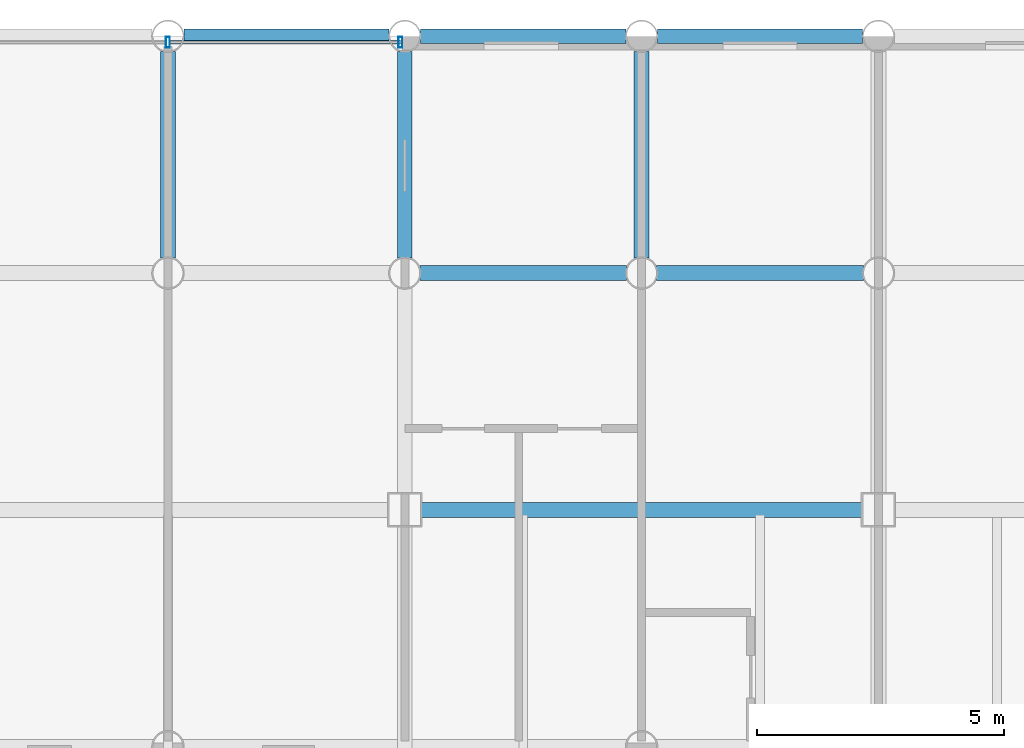
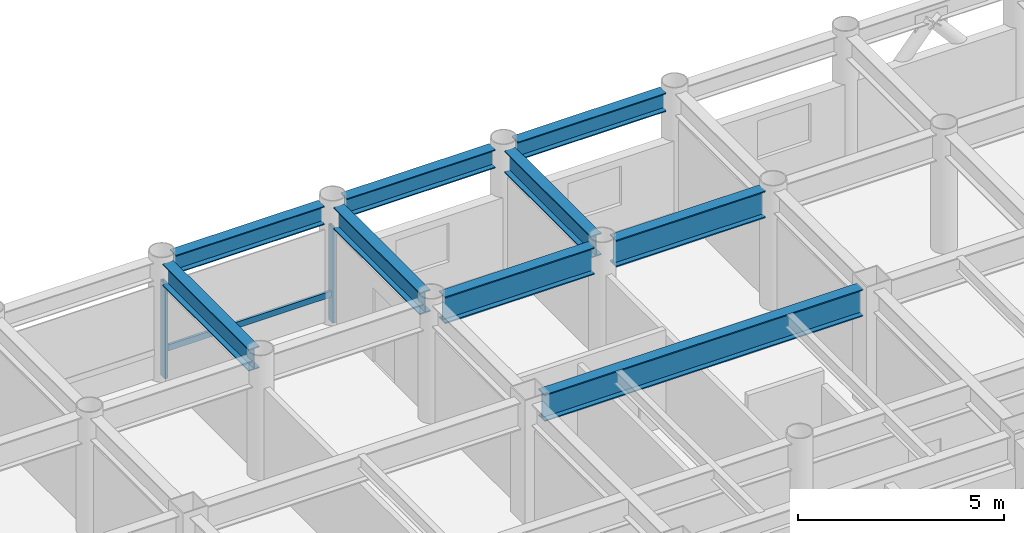
# One storey, part 13 of 20: 9 beams, 3 members, 1 element without a shape of its own.
"""IFC4 building model written with IfcOpenShell, lengths in metres."""

from ifc_helpers import new_model, si_unit, direction, frame, origin, origin_2d, place, context, subcontext, project, spatial, hollow_rectangle, i_section, extrude, material, layer, layer_set, material_profile, profile_set, type_object, element, aggregate, save


model = new_model("IFC4")

# Units and contexts
model_context = context("Model", 3, precision=1e-05, world=origin(), true_north=direction((0.0, 1.0)))
body_context = subcontext(model_context, "Body", "Model", "MODEL_VIEW")
ifc_project = project(units=[si_unit("LENGTHUNIT", "METRE"), si_unit("AREAUNIT", "SQUARE_METRE"), si_unit("VOLUMEUNIT", "CUBIC_METRE"), si_unit("PLANEANGLEUNIT", "RADIAN"), si_unit("MASSUNIT", "GRAM", prefix="KILO")], contexts=[model_context])

# Site, building, storey
site_placement = place(None, origin())
site = spatial("IfcSite", under=ifc_project, at=site_placement, CompositionType="ELEMENT")
building_placement = place(site_placement, origin())
building = spatial("IfcBuilding", under=site, at=building_placement, Name="Kallvorn Hotel Tower", CompositionType="ELEMENT")
storey_placement = place(building_placement, frame((0.0, 0.0, 143.300048828125)))
storey = spatial("IfcBuildingStorey", under=building, at=storey_placement, Name="L35", CompositionType="ELEMENT", Elevation=143.300048828125)

# Beams
ifc_material_1 = material(Name="Structural steel S355JR", Category="steel")
ifc_material_profile_1 = material_profile(ifc_material_1, i_section(OverallWidth=0.300048828125, OverallDepth=0.550048828125, WebThickness=0.014892578125, FlangeThickness=0.029052734375, at=origin_2d()), Name="HE 550 B")
ifc_profile_set_1 = profile_set([ifc_material_profile_1], Name="Structural steel S355JR")
beam_type_1 = type_object("IfcBeamType", Name="BM_HE550B", PredefinedType="SPANDREL", material=ifc_profile_set_1)
for number, where, z_axis, x_axis, name in (
    (1, (0.320068359375, 24.0, 3.244873046875), (1.0, 0.0, 0.0), (0.0, 1.0, 0.0), "L36 Perimeter Spandrel 169"),
    (2, (5.1201171875, 24.0, 3.244873046875), (1.0, 0.0, 0.0), (0.0, 1.0, 0.0), "L36 Perimeter Spandrel 170"),
):
    element("IfcBeam", number, at=place(storey_placement, frame(where, z_axis=z_axis, x_axis=x_axis)), inside=storey, type_object=beam_type_1, Name=name, PredefinedType="SPANDREL", context=body_context, shape_type="SweptSolid", body=[
        extrude(i_section(OverallWidth=0.300048828125, OverallDepth=0.550048828125, WebThickness=0.014892578125, FlangeThickness=0.029052734375, at=origin_2d()), origin(), (0.0, 0.0, 1.0), 4.159912109375),
    ])
beam_1_placement = place(storey_placement, frame((9.919921875, 24.0, 3.244873046875), z_axis=(1.0, 0.0, 0.0), x_axis=(0.0, 1.0, 0.0)))
element("IfcBeam", 3, at=beam_1_placement, inside=storey, type_object=beam_type_1, Name="L36 Perimeter Spandrel 171", PredefinedType="SPANDREL", context=body_context, shape_type="SweptSolid", body=[
    extrude(i_section(OverallWidth=0.300048828125, OverallDepth=0.550048828125, WebThickness=0.014892578125, FlangeThickness=0.029052734375, at=origin_2d()), origin(), (0.0, 0.0, 1.0), 4.16015625),
])
ifc_material_2 = material(Name="Structural steel S355JR", Category="steel")
ifc_material_profile_2 = material_profile(ifc_material_2, i_section(OverallWidth=0.300048828125, OverallDepth=0.64990234375, WebThickness=0.01611328125, FlangeThickness=0.031005859375, at=origin_2d()), Name="HE 650 B")
ifc_profile_set_2 = profile_set([ifc_material_profile_2], Name="Structural steel S355JR")
beam_type_2 = type_object("IfcBeamType", Name="BM_HE650B", PredefinedType="BEAM", material=ifc_profile_set_2)
for number, where, z_axis, x_axis, name in (
    (4, (0.0, 19.5048828125, 3.195068359375), (0.0, 1.0, 0.0), (-1.0, 0.0, 0.0), "L36 Primary Y-Girder 113"),
    (5, (4.800048828125, 19.5048828125, 3.195068359375), (0.0, 1.0, 0.0), (-1.0, 0.0, 0.0), "L36 Primary Y-Girder 118"),
    (6, (9.60009765625, 19.5048828125, 3.195068359375), (0.0, 1.0, 0.0), (-1.0, 0.0, 0.0), "L36 Primary Y-Girder 121"),
):
    element("IfcBeam", number, at=place(storey_placement, frame(where, z_axis=z_axis, x_axis=x_axis)), inside=storey, type_object=beam_type_2, Name=name, PredefinedType="BEAM", context=body_context, shape_type="SweptSolid", body=[
        extrude(i_section(OverallWidth=0.300048828125, OverallDepth=0.64990234375, WebThickness=0.01611328125, FlangeThickness=0.031005859375, at=origin_2d()), origin(), (0.0, 0.0, 1.0), 4.190185546875),
    ])
ifc_material_3 = material(Name="Structural steel S355JR", Category="steel")
ifc_material_profile_3 = material_profile(ifc_material_3, i_section(OverallWidth=0.300048828125, OverallDepth=0.800048828125, WebThickness=0.017578125, FlangeThickness=0.032958984375, at=origin_2d()), Name="HE 800 B")
ifc_profile_set_3 = profile_set([ifc_material_profile_3], Name="Structural steel S355JR")
beam_type_3 = type_object("IfcBeamType", Name="BM_HE800B", PredefinedType="BEAM", material=ifc_profile_set_3)
beam_2_placement = place(storey_placement, frame((5.125, 14.39990234375, 3.119873046875), z_axis=(1.0, 0.0, 0.0), x_axis=(0.0, 1.0, 0.0)))
element("IfcBeam", 7, at=beam_2_placement, inside=storey, type_object=beam_type_3, Name="L36 Primary X-Girder 56", PredefinedType="BEAM", context=body_context, shape_type="SweptSolid", body=[
    extrude(i_section(OverallWidth=0.300048828125, OverallDepth=0.800048828125, WebThickness=0.017578125, FlangeThickness=0.032958984375, at=origin_2d()), origin(), (0.0, 0.0, 1.0), 8.949951171875),
])
for number, where, z_axis, x_axis, name in (
    (8, (5.10498046875, 19.199951171875, 3.119873046875), (1.0, 0.0, 0.0), (0.0, 1.0, 0.0), "L36 Primary X-Girder 68"),
    (9, (9.905029296875, 19.199951171875, 3.119873046875), (1.0, 0.0, 0.0), (0.0, 1.0, 0.0), "L36 Primary X-Girder 69"),
):
    element("IfcBeam", number, at=place(storey_placement, frame(where, z_axis=z_axis, x_axis=x_axis)), inside=storey, type_object=beam_type_3, Name=name, PredefinedType="BEAM", context=body_context, shape_type="SweptSolid", body=[
        extrude(i_section(OverallWidth=0.300048828125, OverallDepth=0.800048828125, WebThickness=0.017578125, FlangeThickness=0.032958984375, at=origin_2d()), origin(), (0.0, 0.0, 1.0), 4.18994140625),
    ])

# Curtain wall, members
ifc_material_4 = material(Name="Thermally broken black-anodised aluminium AA 6063-T6", Category="aluminium")
ifc_layer = layer(ifc_material_4, 0.2099609375)
ifc_layer_set = layer_set([ifc_layer], Name="CW_SYS_4_HOTEL_MID")
curtain_wall_type = type_object("IfcCurtainWallType", Name="CW_SYS_4_HOTEL_MID", PredefinedType="USERDEFINED", material=ifc_layer_set)
curtain_wall_placement = place(storey_placement, origin())
curtain_wall = element("IfcCurtainWall", 10, at=curtain_wall_placement, inside=storey, type_object=curtain_wall_type, Name="L35 Dark-Glass Curtain Wall CW-L35-NC", ObjectType="UNITISED CURTAIN WALL", PredefinedType="USERDEFINED")
ifc_material_5 = material(Name="Thermally broken black-anodised aluminium AA 6063-T6", Category="aluminium")
ifc_material_profile_4 = material_profile(ifc_material_5, hollow_rectangle(XDim=0.080078125, YDim=0.219970703125, WallThickness=0.0048828125, at=origin_2d()), Name="MUL 220x80")
ifc_profile_set_4 = profile_set([ifc_material_profile_4], Name="Thermally broken black-anodised aluminium AA 6063-T6")
member_type_1 = type_object("IfcMemberType", Name="CW_MULLION_220x80", PredefinedType="MULLION", material=ifc_profile_set_4)
member_1_placement = place(storey_placement, frame((0.0, 23.8798828125, 0.02001953125), z_axis=(0.0, 0.0, 1.0), x_axis=(1.0, 0.0, 0.0)))
member_1 = element("IfcMember", 11, at=member_1_placement, type_object=member_type_1, Name="CW-L35-NC Mullion 01", PredefinedType="MULLION", context=body_context, shape_type="SweptSolid", body=[
    extrude(hollow_rectangle(XDim=0.080078125, YDim=0.219970703125, WallThickness=0.0048828125, at=origin_2d()), origin(), (0.0, 0.0, 1.0), 2.829833984375),
])
member_2_placement = place(storey_placement, frame((4.7099609375, 23.8798828125, 0.02001953125), z_axis=(0.0, 0.0, 1.0), x_axis=(1.0, 0.0, 0.0)))
member_2 = element("IfcMember", 12, at=member_2_placement, type_object=member_type_1, Name="CW-L35-NC Mullion 02", PredefinedType="MULLION", context=body_context, shape_type="SweptSolid", body=[
    extrude(hollow_rectangle(XDim=0.080078125, YDim=0.219970703125, WallThickness=0.0048828125, at=origin_2d()), origin(), (0.0, 0.0, 1.0), 2.829833984375),
])
ifc_material_6 = material(Name="Thermally broken black-anodised aluminium AA 6063-T6", Category="aluminium")
ifc_material_profile_5 = material_profile(ifc_material_6, hollow_rectangle(XDim=0.070068359375, YDim=0.179931640625, WallThickness=0.00390625, at=origin_2d()), Name="TRN 180x70")
ifc_profile_set_5 = profile_set([ifc_material_profile_5], Name="Thermally broken black-anodised aluminium AA 6063-T6")
member_type_2 = type_object("IfcMemberType", Name="CW_TRANSOM_180x70", PredefinedType="USERDEFINED", material=ifc_profile_set_5)
member_3_placement = place(storey_placement, frame((0.0400390625, 23.8798828125, 0.849853515625), z_axis=(1.0, 0.0, 0.0), x_axis=(0.0, 1.0, 0.0)))
member_3 = element("IfcMember", 13, at=member_3_placement, type_object=member_type_2, Name="CW-L35-NC Transom 01M", ObjectType="TRANSOM", PredefinedType="USERDEFINED", context=body_context, shape_type="SweptSolid", body=[
    extrude(hollow_rectangle(XDim=0.070068359375, YDim=0.179931640625, WallThickness=0.00390625, at=origin_2d()), origin(), (0.0, 0.0, 1.0), 4.669921875),
])
aggregate(curtain_wall, [member_1, member_2, member_3])

save(model, "model.ifc")
